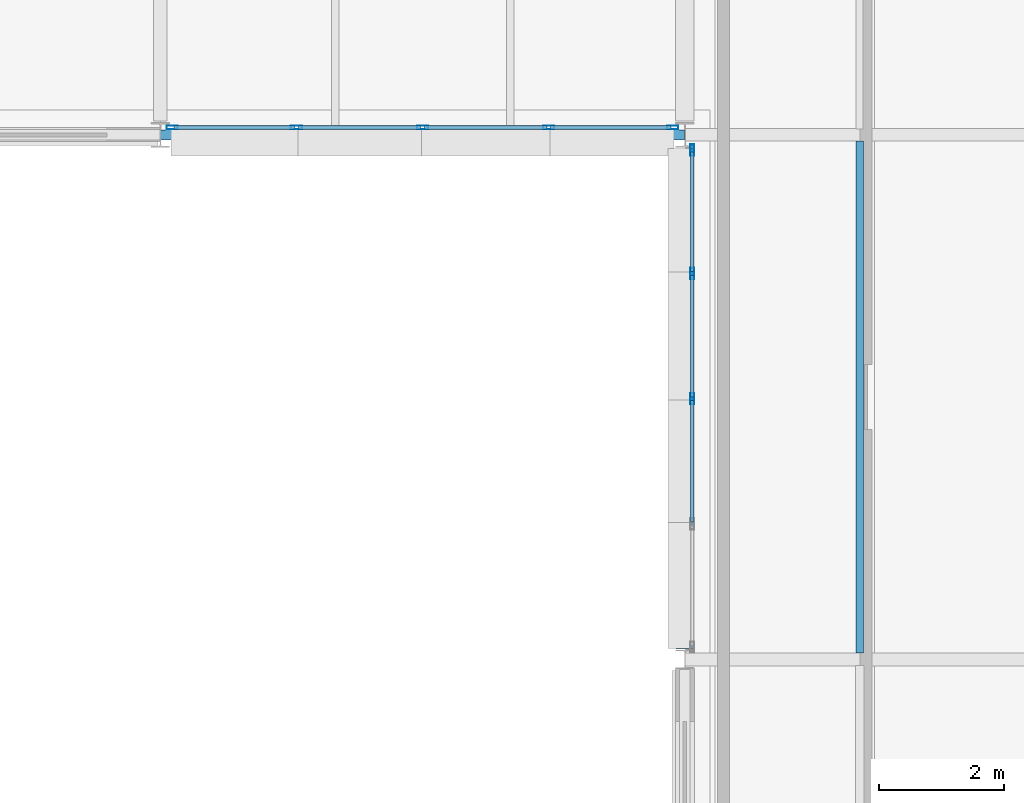
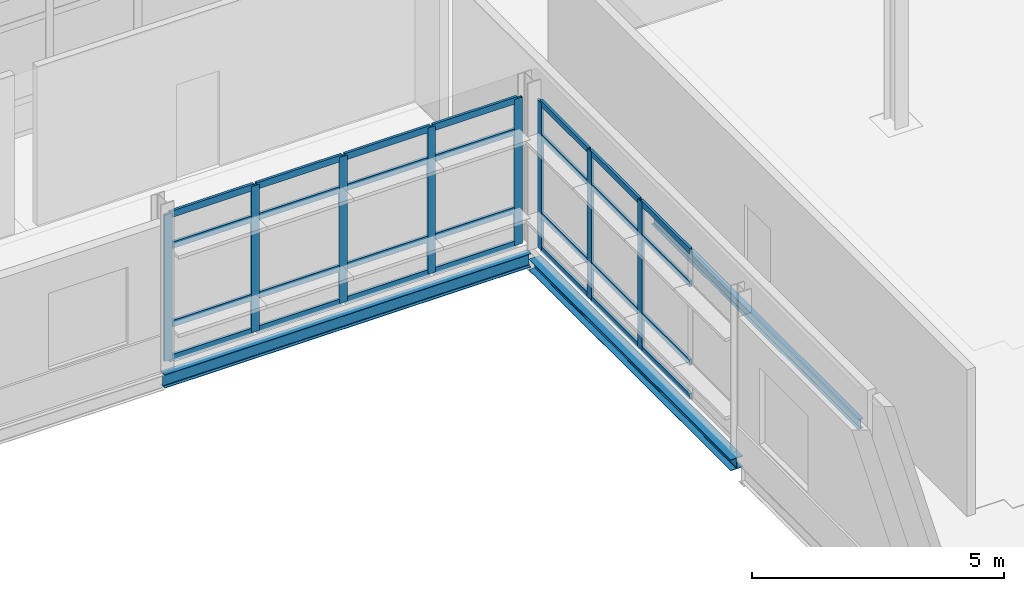
# One storey, part 45 of 103: 36 members, 3 beams, 2 elements without a shape of their own.
"""IFC4 building model written with IfcOpenShell, lengths in metres."""

from ifc_helpers import new_model, si_unit, direction, frame, origin, origin_2d, place, context, subcontext, project, spatial, hollow_rectangle, i_section, extrude, material, material_profile, profile_set, type_object, element, aggregate, save


model = new_model("IFC4")

# Units and contexts
model_context = context("Model", 3, precision=1e-05, world=origin(), true_north=direction((0.0, 1.0)))
body_context = subcontext(model_context, "Body", "Model", "MODEL_VIEW")
ifc_project = project(units=[si_unit("LENGTHUNIT", "METRE"), si_unit("AREAUNIT", "SQUARE_METRE"), si_unit("VOLUMEUNIT", "CUBIC_METRE"), si_unit("PLANEANGLEUNIT", "RADIAN"), si_unit("MASSUNIT", "GRAM", prefix="KILO")], contexts=[model_context])

# Site, building, storey
site_placement = place(None, origin())
site = spatial("IfcSite", under=ifc_project, at=site_placement, CompositionType="ELEMENT")
building_placement = place(site_placement, origin())
building = spatial("IfcBuilding", under=site, at=building_placement, Name="Mersafa Astral City Hall", CompositionType="ELEMENT")
storey_placement = place(building_placement, frame((0.0, 0.0, 18.0)))
storey = spatial("IfcBuildingStorey", under=building, at=storey_placement, Name="L04", CompositionType="ELEMENT", Elevation=18.0)

# Curtain wall, members
ifc_material_1 = material(Name="Anodised bronze aluminium framing", Category="aluminium")
curtain_wall_type_1 = type_object("IfcCurtainWallType", Name="ENV-CW-3", PredefinedType="USERDEFINED", material=ifc_material_1)
curtain_wall_1_placement = place(storey_placement, origin())
curtain_wall_1 = element("IfcCurtainWall", 1, at=curtain_wall_1_placement, inside=storey, type_object=curtain_wall_type_1, Name="L04 Unitised solar curtain wall 206", ObjectType="UNITISED CURTAIN WALL", PredefinedType="USERDEFINED")
ifc_material_profile_1 = material_profile(ifc_material_1, hollow_rectangle(XDim=0.06005859375, YDim=0.179931640625, WallThickness=0.00390625, at=origin_2d()), Name="RHS 60x180x4")
ifc_profile_set_1 = profile_set([ifc_material_profile_1], Name="Anodised bronze aluminium framing")
member_type_1 = type_object("IfcMemberType", Name="ENV-CW-MUL-1", PredefinedType="MULLION", material=ifc_profile_set_1)
member_1_placement = place(storey_placement, frame((92.592041015625, 117.719970703125, -0.001953125), z_axis=(0.0, 0.0, 1.0), x_axis=(0.0, 1.0, 0.0)))
member_1 = element("IfcMember", 2, at=member_1_placement, type_object=member_type_1, Name="CW-3 mullion 1", PredefinedType="MULLION", context=body_context, shape_type="SweptSolid", body=[
    extrude(hollow_rectangle(XDim=0.06005859375, YDim=0.179931640625, WallThickness=0.00390625, at=origin_2d()), origin(), (0.0, 0.0, 1.0), 3.5390625),
])
member_2_placement = place(storey_placement, frame((94.5810546875, 117.719970703125, -0.001953125), z_axis=(0.0, 0.0, 1.0), x_axis=(0.0, 1.0, 0.0)))
member_2 = element("IfcMember", 3, at=member_2_placement, type_object=member_type_1, Name="CW-3 mullion 2", PredefinedType="MULLION", context=body_context, shape_type="SweptSolid", body=[
    extrude(hollow_rectangle(XDim=0.06005859375, YDim=0.179931640625, WallThickness=0.00390625, at=origin_2d()), origin(), (0.0, 0.0, 1.0), 3.5390625),
])
member_3_placement = place(storey_placement, frame((96.60009765625, 117.719970703125, -0.001953125), z_axis=(0.0, 0.0, 1.0), x_axis=(0.0, 1.0, 0.0)))
member_3 = element("IfcMember", 4, at=member_3_placement, type_object=member_type_1, Name="CW-3 mullion 3", PredefinedType="MULLION", context=body_context, shape_type="SweptSolid", body=[
    extrude(hollow_rectangle(XDim=0.06005859375, YDim=0.179931640625, WallThickness=0.00390625, at=origin_2d()), origin(), (0.0, 0.0, 1.0), 3.5390625),
])
member_4_placement = place(storey_placement, frame((98.618896484375, 117.719970703125, -0.001953125), z_axis=(0.0, 0.0, 1.0), x_axis=(0.0, 1.0, 0.0)))
member_4 = element("IfcMember", 5, at=member_4_placement, type_object=member_type_1, Name="CW-3 mullion 4", PredefinedType="MULLION", context=body_context, shape_type="SweptSolid", body=[
    extrude(hollow_rectangle(XDim=0.06005859375, YDim=0.179931640625, WallThickness=0.00390625, at=origin_2d()), origin(), (0.0, 0.0, 1.0), 3.5390625),
])
member_5_placement = place(storey_placement, frame((100.60791015625, 117.719970703125, -0.001953125), z_axis=(0.0, 0.0, 1.0), x_axis=(0.0, 1.0, 0.0)))
member_5 = element("IfcMember", 6, at=member_5_placement, type_object=member_type_1, Name="CW-3 mullion 5", PredefinedType="MULLION", context=body_context, shape_type="SweptSolid", body=[
    extrude(hollow_rectangle(XDim=0.06005859375, YDim=0.179931640625, WallThickness=0.00390625, at=origin_2d()), origin(), (0.0, 0.0, 1.0), 3.5390625),
])

curtain_wall_type_2 = type_object("IfcCurtainWallType", Name="ENV-CW-4", PredefinedType="USERDEFINED", material=ifc_material_1)
curtain_wall_2_placement = place(storey_placement, origin())
curtain_wall_2 = element("IfcCurtainWall", 7, at=curtain_wall_2_placement, inside=storey, type_object=curtain_wall_type_2, Name="L04 Unitised solar curtain wall 207", ObjectType="UNITISED CURTAIN WALL", PredefinedType="USERDEFINED")
member_6_placement = place(storey_placement, frame((100.919921875, 117.35791015625, -0.001953125), z_axis=(0.0, 0.0, 1.0), x_axis=(1.0, 0.0, 0.0)))
member_6 = element("IfcMember", 8, at=member_6_placement, type_object=member_type_1, Name="CW-4 mullion 1", PredefinedType="MULLION", context=body_context, shape_type="SweptSolid", body=[
    extrude(hollow_rectangle(XDim=0.06005859375, YDim=0.179931640625, WallThickness=0.00390625, at=origin_2d()), origin(), (0.0, 0.0, 1.0), 3.578857421875),
])
member_7_placement = place(storey_placement, frame((100.919921875, 115.381591796875, -0.001953125), z_axis=(0.0, 0.0, 1.0), x_axis=(1.0, 0.0, 0.0)))
member_7 = element("IfcMember", 9, at=member_7_placement, type_object=member_type_1, Name="CW-4 mullion 2", PredefinedType="MULLION", context=body_context, shape_type="SweptSolid", body=[
    extrude(hollow_rectangle(XDim=0.06005859375, YDim=0.179931640625, WallThickness=0.00390625, at=origin_2d()), origin(), (0.0, 0.0, 1.0), 3.578857421875),
])
member_8_placement = place(storey_placement, frame((100.919921875, 113.375, -0.001953125), z_axis=(0.0, 0.0, 1.0), x_axis=(1.0, 0.0, 0.0)))
member_8 = element("IfcMember", 10, at=member_8_placement, type_object=member_type_1, Name="CW-4 mullion 3", PredefinedType="MULLION", context=body_context, shape_type="SweptSolid", body=[
    extrude(hollow_rectangle(XDim=0.06005859375, YDim=0.179931640625, WallThickness=0.00390625, at=origin_2d()), origin(), (0.0, 0.0, 1.0), 3.578857421875),
])
ifc_material_profile_2 = material_profile(ifc_material_1, hollow_rectangle(XDim=0.06005859375, YDim=0.139892578125, WallThickness=0.00390625, at=origin_2d()), Name="RHS 60x140x4")
ifc_profile_set_2 = profile_set([ifc_material_profile_2], Name="Anodised bronze aluminium framing")
member_type_2 = type_object("IfcMemberType", Name="ENV-CW-TRN-1", PredefinedType="USERDEFINED", material=ifc_profile_set_2)
member_9_placement = place(storey_placement, frame((100.919921875, 117.327880859375, 0.028076171875), z_axis=(0.0, -1.0, 0.0), x_axis=(1.0, 0.0, 0.0)))
member_9 = element("IfcMember", 11, at=member_9_placement, type_object=member_type_2, Name="CW-4 transom 1.1", ObjectType="TRANSOM", PredefinedType="USERDEFINED", context=body_context, shape_type="SweptSolid", body=[
    extrude(hollow_rectangle(XDim=0.06005859375, YDim=0.139892578125, WallThickness=0.00390625, at=origin_2d()), origin(), (0.0, 0.0, 1.0), 1.916259765625),
])
member_10_placement = place(storey_placement, frame((100.919921875, 117.327880859375, 0.85009765625), z_axis=(0.0, -1.0, 0.0), x_axis=(1.0, 0.0, 0.0)))
member_10 = element("IfcMember", 12, at=member_10_placement, type_object=member_type_2, Name="CW-4 transom 1.2", ObjectType="TRANSOM", PredefinedType="USERDEFINED", context=body_context, shape_type="SweptSolid", body=[
    extrude(hollow_rectangle(XDim=0.06005859375, YDim=0.139892578125, WallThickness=0.00390625, at=origin_2d()), origin(), (0.0, 0.0, 1.0), 1.916259765625),
])
member_11_placement = place(storey_placement, frame((100.919921875, 117.327880859375, 2.75), z_axis=(0.0, -1.0, 0.0), x_axis=(1.0, 0.0, 0.0)))
member_11 = element("IfcMember", 13, at=member_11_placement, type_object=member_type_2, Name="CW-4 transom 1.3", ObjectType="TRANSOM", PredefinedType="USERDEFINED", context=body_context, shape_type="SweptSolid", body=[
    extrude(hollow_rectangle(XDim=0.06005859375, YDim=0.139892578125, WallThickness=0.00390625, at=origin_2d()), origin(), (0.0, 0.0, 1.0), 1.916259765625),
])
member_12_placement = place(storey_placement, frame((100.919921875, 117.327880859375, 3.547119140625), z_axis=(0.0, -1.0, 0.0), x_axis=(1.0, 0.0, 0.0)))
member_12 = element("IfcMember", 14, at=member_12_placement, type_object=member_type_2, Name="CW-4 transom 1.4", ObjectType="TRANSOM", PredefinedType="USERDEFINED", context=body_context, shape_type="SweptSolid", body=[
    extrude(hollow_rectangle(XDim=0.06005859375, YDim=0.139892578125, WallThickness=0.00390625, at=origin_2d()), origin(), (0.0, 0.0, 1.0), 1.916259765625),
])
member_13_placement = place(storey_placement, frame((100.919921875, 115.3515625, 0.028076171875), z_axis=(0.0, -1.0, 0.0), x_axis=(1.0, 0.0, 0.0)))
member_13 = element("IfcMember", 15, at=member_13_placement, type_object=member_type_2, Name="CW-4 transom 2.1", ObjectType="TRANSOM", PredefinedType="USERDEFINED", context=body_context, shape_type="SweptSolid", body=[
    extrude(hollow_rectangle(XDim=0.06005859375, YDim=0.139892578125, WallThickness=0.00390625, at=origin_2d()), origin(), (0.0, 0.0, 1.0), 1.946533203125),
])
member_14_placement = place(storey_placement, frame((100.919921875, 115.3515625, 0.85009765625), z_axis=(0.0, -1.0, 0.0), x_axis=(1.0, 0.0, 0.0)))
member_14 = element("IfcMember", 16, at=member_14_placement, type_object=member_type_2, Name="CW-4 transom 2.2", ObjectType="TRANSOM", PredefinedType="USERDEFINED", context=body_context, shape_type="SweptSolid", body=[
    extrude(hollow_rectangle(XDim=0.06005859375, YDim=0.139892578125, WallThickness=0.00390625, at=origin_2d()), origin(), (0.0, 0.0, 1.0), 1.946533203125),
])
member_15_placement = place(storey_placement, frame((100.919921875, 115.3515625, 2.75), z_axis=(0.0, -1.0, 0.0), x_axis=(1.0, 0.0, 0.0)))
member_15 = element("IfcMember", 17, at=member_15_placement, type_object=member_type_2, Name="CW-4 transom 2.3", ObjectType="TRANSOM", PredefinedType="USERDEFINED", context=body_context, shape_type="SweptSolid", body=[
    extrude(hollow_rectangle(XDim=0.06005859375, YDim=0.139892578125, WallThickness=0.00390625, at=origin_2d()), origin(), (0.0, 0.0, 1.0), 1.946533203125),
])
member_16_placement = place(storey_placement, frame((100.919921875, 115.3515625, 3.547119140625), z_axis=(0.0, -1.0, 0.0), x_axis=(1.0, 0.0, 0.0)))
member_16 = element("IfcMember", 18, at=member_16_placement, type_object=member_type_2, Name="CW-4 transom 2.4", ObjectType="TRANSOM", PredefinedType="USERDEFINED", context=body_context, shape_type="SweptSolid", body=[
    extrude(hollow_rectangle(XDim=0.06005859375, YDim=0.139892578125, WallThickness=0.00390625, at=origin_2d()), origin(), (0.0, 0.0, 1.0), 1.946533203125),
])
member_17_placement = place(storey_placement, frame((100.919921875, 113.344970703125, 0.028076171875), z_axis=(0.0, -1.0, 0.0), x_axis=(1.0, 0.0, 0.0)))
member_17 = element("IfcMember", 19, at=member_17_placement, type_object=member_type_2, Name="CW-4 transom 3.1", ObjectType="TRANSOM", PredefinedType="USERDEFINED", context=body_context, shape_type="SweptSolid", body=[
    extrude(hollow_rectangle(XDim=0.06005859375, YDim=0.139892578125, WallThickness=0.00390625, at=origin_2d()), origin(), (0.0, 0.0, 1.0), 1.946533203125),
])
member_18_placement = place(storey_placement, frame((100.919921875, 113.344970703125, 0.85009765625), z_axis=(0.0, -1.0, 0.0), x_axis=(1.0, 0.0, 0.0)))
member_18 = element("IfcMember", 20, at=member_18_placement, type_object=member_type_2, Name="CW-4 transom 3.2", ObjectType="TRANSOM", PredefinedType="USERDEFINED", context=body_context, shape_type="SweptSolid", body=[
    extrude(hollow_rectangle(XDim=0.06005859375, YDim=0.139892578125, WallThickness=0.00390625, at=origin_2d()), origin(), (0.0, 0.0, 1.0), 1.946533203125),
])
member_19_placement = place(storey_placement, frame((100.919921875, 113.344970703125, 2.75), z_axis=(0.0, -1.0, 0.0), x_axis=(1.0, 0.0, 0.0)))
member_19 = element("IfcMember", 21, at=member_19_placement, type_object=member_type_2, Name="CW-4 transom 3.3", ObjectType="TRANSOM", PredefinedType="USERDEFINED", context=body_context, shape_type="SweptSolid", body=[
    extrude(hollow_rectangle(XDim=0.06005859375, YDim=0.139892578125, WallThickness=0.00390625, at=origin_2d()), origin(), (0.0, 0.0, 1.0), 1.946533203125),
])
member_20_placement = place(storey_placement, frame((100.919921875, 113.344970703125, 3.547119140625), z_axis=(0.0, -1.0, 0.0), x_axis=(1.0, 0.0, 0.0)))
member_20 = element("IfcMember", 22, at=member_20_placement, type_object=member_type_2, Name="CW-4 transom 3.4", ObjectType="TRANSOM", PredefinedType="USERDEFINED", context=body_context, shape_type="SweptSolid", body=[
    extrude(hollow_rectangle(XDim=0.06005859375, YDim=0.139892578125, WallThickness=0.00390625, at=origin_2d()), origin(), (0.0, 0.0, 1.0), 1.946533203125),
])
aggregate(curtain_wall_2, [member_6, member_7, member_8, member_9, member_10, member_11, member_12, member_13, member_14, member_15, member_16, member_17, member_18, member_19, member_20])

# Member
ifc_material_profile_3 = material_profile(ifc_material_1, hollow_rectangle(XDim=0.06005859375, YDim=0.159912109375, WallThickness=0.00390625, at=origin_2d()), Name="RHS 60x160x4")
ifc_profile_set_3 = profile_set([ifc_material_profile_3], Name="Anodised bronze aluminium framing")
member_type_3 = type_object("IfcMemberType", Name="ENV-CW-TRN-2", PredefinedType="USERDEFINED", material=ifc_profile_set_3)
member_21_placement = place(storey_placement, frame((92.6220703125, 117.719970703125, 0.028076171875), z_axis=(1.0, 0.0, 0.0), x_axis=(0.0, 1.0, 0.0)))
member_21 = element("IfcMember", 23, at=member_21_placement, type_object=member_type_3, Name="CW-3 transom 1.1", ObjectType="TRANSOM", PredefinedType="USERDEFINED", context=body_context, shape_type="SweptSolid", body=[
    extrude(hollow_rectangle(XDim=0.06005859375, YDim=0.159912109375, WallThickness=0.00390625, at=origin_2d()), origin(), (0.0, 0.0, 1.0), 1.928955078125),
])

member_22_placement = place(storey_placement, frame((92.6220703125, 117.719970703125, 0.85009765625), z_axis=(1.0, 0.0, 0.0), x_axis=(0.0, 1.0, 0.0)))
member_22 = element("IfcMember", 24, at=member_22_placement, type_object=member_type_3, Name="CW-3 transom 1.2", ObjectType="TRANSOM", PredefinedType="USERDEFINED", context=body_context, shape_type="SweptSolid", body=[
    extrude(hollow_rectangle(XDim=0.06005859375, YDim=0.159912109375, WallThickness=0.00390625, at=origin_2d()), origin(), (0.0, 0.0, 1.0), 1.928955078125),
])

member_23_placement = place(storey_placement, frame((92.6220703125, 117.719970703125, 2.75), z_axis=(1.0, 0.0, 0.0), x_axis=(0.0, 1.0, 0.0)))
member_23 = element("IfcMember", 25, at=member_23_placement, type_object=member_type_3, Name="CW-3 transom 1.3", ObjectType="TRANSOM", PredefinedType="USERDEFINED", context=body_context, shape_type="SweptSolid", body=[
    extrude(hollow_rectangle(XDim=0.06005859375, YDim=0.159912109375, WallThickness=0.00390625, at=origin_2d()), origin(), (0.0, 0.0, 1.0), 1.928955078125),
])

member_24_placement = place(storey_placement, frame((92.6220703125, 117.719970703125, 3.507080078125), z_axis=(1.0, 0.0, 0.0), x_axis=(0.0, 1.0, 0.0)))
member_24 = element("IfcMember", 26, at=member_24_placement, type_object=member_type_3, Name="CW-3 transom 1.4", ObjectType="TRANSOM", PredefinedType="USERDEFINED", context=body_context, shape_type="SweptSolid", body=[
    extrude(hollow_rectangle(XDim=0.06005859375, YDim=0.159912109375, WallThickness=0.00390625, at=origin_2d()), origin(), (0.0, 0.0, 1.0), 1.928955078125),
])

member_25_placement = place(storey_placement, frame((94.611083984375, 117.719970703125, 0.028076171875), z_axis=(1.0, 0.0, 0.0), x_axis=(0.0, 1.0, 0.0)))
member_25 = element("IfcMember", 27, at=member_25_placement, type_object=member_type_3, Name="CW-3 transom 2.1", ObjectType="TRANSOM", PredefinedType="USERDEFINED", context=body_context, shape_type="SweptSolid", body=[
    extrude(hollow_rectangle(XDim=0.06005859375, YDim=0.159912109375, WallThickness=0.00390625, at=origin_2d()), origin(), (0.0, 0.0, 1.0), 1.958984375),
])

member_26_placement = place(storey_placement, frame((94.611083984375, 117.719970703125, 0.85009765625), z_axis=(1.0, 0.0, 0.0), x_axis=(0.0, 1.0, 0.0)))
member_26 = element("IfcMember", 28, at=member_26_placement, type_object=member_type_3, Name="CW-3 transom 2.2", ObjectType="TRANSOM", PredefinedType="USERDEFINED", context=body_context, shape_type="SweptSolid", body=[
    extrude(hollow_rectangle(XDim=0.06005859375, YDim=0.159912109375, WallThickness=0.00390625, at=origin_2d()), origin(), (0.0, 0.0, 1.0), 1.958984375),
])

member_27_placement = place(storey_placement, frame((94.611083984375, 117.719970703125, 2.75), z_axis=(1.0, 0.0, 0.0), x_axis=(0.0, 1.0, 0.0)))
member_27 = element("IfcMember", 29, at=member_27_placement, type_object=member_type_3, Name="CW-3 transom 2.3", ObjectType="TRANSOM", PredefinedType="USERDEFINED", context=body_context, shape_type="SweptSolid", body=[
    extrude(hollow_rectangle(XDim=0.06005859375, YDim=0.159912109375, WallThickness=0.00390625, at=origin_2d()), origin(), (0.0, 0.0, 1.0), 1.958984375),
])

member_28_placement = place(storey_placement, frame((94.611083984375, 117.719970703125, 3.507080078125), z_axis=(1.0, 0.0, 0.0), x_axis=(0.0, 1.0, 0.0)))
member_28 = element("IfcMember", 30, at=member_28_placement, type_object=member_type_3, Name="CW-3 transom 2.4", ObjectType="TRANSOM", PredefinedType="USERDEFINED", context=body_context, shape_type="SweptSolid", body=[
    extrude(hollow_rectangle(XDim=0.06005859375, YDim=0.159912109375, WallThickness=0.00390625, at=origin_2d()), origin(), (0.0, 0.0, 1.0), 1.958984375),
])

member_29_placement = place(storey_placement, frame((96.6298828125, 117.719970703125, 0.028076171875), z_axis=(1.0, 0.0, 0.0), x_axis=(0.0, 1.0, 0.0)))
member_29 = element("IfcMember", 31, at=member_29_placement, type_object=member_type_3, Name="CW-3 transom 3.1", ObjectType="TRANSOM", PredefinedType="USERDEFINED", context=body_context, shape_type="SweptSolid", body=[
    extrude(hollow_rectangle(XDim=0.06005859375, YDim=0.159912109375, WallThickness=0.00390625, at=origin_2d()), origin(), (0.0, 0.0, 1.0), 1.959228515625),
])

member_30_placement = place(storey_placement, frame((96.6298828125, 117.719970703125, 0.85009765625), z_axis=(1.0, 0.0, 0.0), x_axis=(0.0, 1.0, 0.0)))
member_30 = element("IfcMember", 32, at=member_30_placement, type_object=member_type_3, Name="CW-3 transom 3.2", ObjectType="TRANSOM", PredefinedType="USERDEFINED", context=body_context, shape_type="SweptSolid", body=[
    extrude(hollow_rectangle(XDim=0.06005859375, YDim=0.159912109375, WallThickness=0.00390625, at=origin_2d()), origin(), (0.0, 0.0, 1.0), 1.959228515625),
])

member_31_placement = place(storey_placement, frame((96.6298828125, 117.719970703125, 2.75), z_axis=(1.0, 0.0, 0.0), x_axis=(0.0, 1.0, 0.0)))
member_31 = element("IfcMember", 33, at=member_31_placement, type_object=member_type_3, Name="CW-3 transom 3.3", ObjectType="TRANSOM", PredefinedType="USERDEFINED", context=body_context, shape_type="SweptSolid", body=[
    extrude(hollow_rectangle(XDim=0.06005859375, YDim=0.159912109375, WallThickness=0.00390625, at=origin_2d()), origin(), (0.0, 0.0, 1.0), 1.959228515625),
])

member_32_placement = place(storey_placement, frame((96.6298828125, 117.719970703125, 3.507080078125), z_axis=(1.0, 0.0, 0.0), x_axis=(0.0, 1.0, 0.0)))
member_32 = element("IfcMember", 34, at=member_32_placement, type_object=member_type_3, Name="CW-3 transom 3.4", ObjectType="TRANSOM", PredefinedType="USERDEFINED", context=body_context, shape_type="SweptSolid", body=[
    extrude(hollow_rectangle(XDim=0.06005859375, YDim=0.159912109375, WallThickness=0.00390625, at=origin_2d()), origin(), (0.0, 0.0, 1.0), 1.959228515625),
])

member_33_placement = place(storey_placement, frame((98.64892578125, 117.719970703125, 0.028076171875), z_axis=(1.0, 0.0, 0.0), x_axis=(0.0, 1.0, 0.0)))
member_33 = element("IfcMember", 35, at=member_33_placement, type_object=member_type_3, Name="CW-3 transom 4.1", ObjectType="TRANSOM", PredefinedType="USERDEFINED", context=body_context, shape_type="SweptSolid", body=[
    extrude(hollow_rectangle(XDim=0.06005859375, YDim=0.159912109375, WallThickness=0.00390625, at=origin_2d()), origin(), (0.0, 0.0, 1.0), 1.928955078125),
])

member_34_placement = place(storey_placement, frame((98.64892578125, 117.719970703125, 0.85009765625), z_axis=(1.0, 0.0, 0.0), x_axis=(0.0, 1.0, 0.0)))
member_34 = element("IfcMember", 36, at=member_34_placement, type_object=member_type_3, Name="CW-3 transom 4.2", ObjectType="TRANSOM", PredefinedType="USERDEFINED", context=body_context, shape_type="SweptSolid", body=[
    extrude(hollow_rectangle(XDim=0.06005859375, YDim=0.159912109375, WallThickness=0.00390625, at=origin_2d()), origin(), (0.0, 0.0, 1.0), 1.928955078125),
])

member_35_placement = place(storey_placement, frame((98.64892578125, 117.719970703125, 2.75), z_axis=(1.0, 0.0, 0.0), x_axis=(0.0, 1.0, 0.0)))
member_35 = element("IfcMember", 37, at=member_35_placement, type_object=member_type_3, Name="CW-3 transom 4.3", ObjectType="TRANSOM", PredefinedType="USERDEFINED", context=body_context, shape_type="SweptSolid", body=[
    extrude(hollow_rectangle(XDim=0.06005859375, YDim=0.159912109375, WallThickness=0.00390625, at=origin_2d()), origin(), (0.0, 0.0, 1.0), 1.928955078125),
])

member_36_placement = place(storey_placement, frame((98.64892578125, 117.719970703125, 3.507080078125), z_axis=(1.0, 0.0, 0.0), x_axis=(0.0, 1.0, 0.0)))
member_36 = element("IfcMember", 38, at=member_36_placement, type_object=member_type_3, Name="CW-3 transom 4.4", ObjectType="TRANSOM", PredefinedType="USERDEFINED", context=body_context, shape_type="SweptSolid", body=[
    extrude(hollow_rectangle(XDim=0.06005859375, YDim=0.159912109375, WallThickness=0.00390625, at=origin_2d()), origin(), (0.0, 0.0, 1.0), 1.928955078125),
])

aggregate(curtain_wall_1, [member_1, member_2, member_3, member_4, member_5, member_21, member_22, member_23, member_24, member_25, member_26, member_27, member_28, member_29, member_30, member_31, member_32, member_33, member_34, member_35, member_36])

# Beams
ifc_material_2 = material(Name="Steel S355", Category="steel")
ifc_material_profile_4 = material_profile(ifc_material_2, i_section(OverallWidth=0.1201171875, OverallDepth=0.239990234375, WebThickness=0.006103515625, FlangeThickness=0.009765625, FilletRadius=0.014892578125, at=origin_2d()), Name="IPE 240")
ifc_profile_set_4 = profile_set([ifc_material_profile_4], Name="Steel S355")
beam_type_1 = type_object("IfcBeamType", Name="STR-BM-JOIST-IPE240", PredefinedType="JOIST", material=ifc_profile_set_4)
beam_1_placement = place(storey_placement, frame((103.60009765625, 109.300048828125, -0.304931640625), z_axis=(0.0, 1.0, 0.0), x_axis=(-1.0, 0.0, 0.0)))
element("IfcBeam", 39, at=beam_1_placement, inside=storey, type_object=beam_type_1, Name="L04 Composite secondary floor joist 728", PredefinedType="JOIST", context=body_context, shape_type="SweptSolid", body=[
    extrude(i_section(OverallWidth=0.1201171875, OverallDepth=0.239990234375, WebThickness=0.006103515625, FlangeThickness=0.009765625, FilletRadius=0.014892578125, at=origin_2d()), origin(), (0.0, 0.0, 1.0), 8.204833984375),
])
ifc_material_profile_5 = material_profile(ifc_material_2, i_section(OverallWidth=0.280029296875, OverallDepth=0.27001953125, WebThickness=0.008056640625, FlangeThickness=0.012939453125, FilletRadius=0.02392578125, at=origin_2d()), Name="HEA 280")
ifc_profile_set_5 = profile_set([ifc_material_profile_5], Name="Steel S355")
beam_type_2 = type_object("IfcBeamType", Name="STR-BM-SPANDREL-HEA280", PredefinedType="SPANDREL", material=ifc_profile_set_5)
beam_2_placement = place(storey_placement, frame((100.800048828125, 109.364990234375, -0.320068359375), z_axis=(0.0, 1.0, 0.0), x_axis=(-1.0, 0.0, 0.0)))
element("IfcBeam", 40, at=beam_2_placement, inside=storey, type_object=beam_type_2, Name="L04 Primary girder Y 12-13", PredefinedType="SPANDREL", context=body_context, shape_type="SweptSolid", body=[
    extrude(i_section(OverallWidth=0.280029296875, OverallDepth=0.27001953125, WebThickness=0.008056640625, FlangeThickness=0.012939453125, FilletRadius=0.02392578125, at=origin_2d()), origin(), (0.0, 0.0, 1.0), 8.014892578125),
])
ifc_material_profile_6 = material_profile(ifc_material_2, i_section(OverallWidth=0.159912109375, OverallDepth=0.330078125, WebThickness=0.007568359375, FlangeThickness=0.011474609375, FilletRadius=0.01806640625, at=origin_2d()), Name="IPE 330")
ifc_profile_set_6 = profile_set([ifc_material_profile_6], Name="Steel S355")
beam_type_3 = type_object("IfcBeamType", Name="STR-BM-SPANDREL-IPE330", PredefinedType="SPANDREL", material=ifc_profile_set_6)
beam_3_placement = place(storey_placement, frame((92.403076171875, 117.60009765625, -0.35009765625), z_axis=(1.0, 0.0, 0.0), x_axis=(0.0, 1.0, 0.0)))
element("IfcBeam", 41, at=beam_3_placement, inside=storey, type_object=beam_type_3, Name="L04 Primary girder X 11-14", PredefinedType="SPANDREL", context=body_context, shape_type="SweptSolid", body=[
    extrude(i_section(OverallWidth=0.159912109375, OverallDepth=0.330078125, WebThickness=0.007568359375, FlangeThickness=0.011474609375, FilletRadius=0.01806640625, at=origin_2d()), origin(), (0.0, 0.0, 1.0), 8.39404296875),
])

save(model, "model.ifc")
